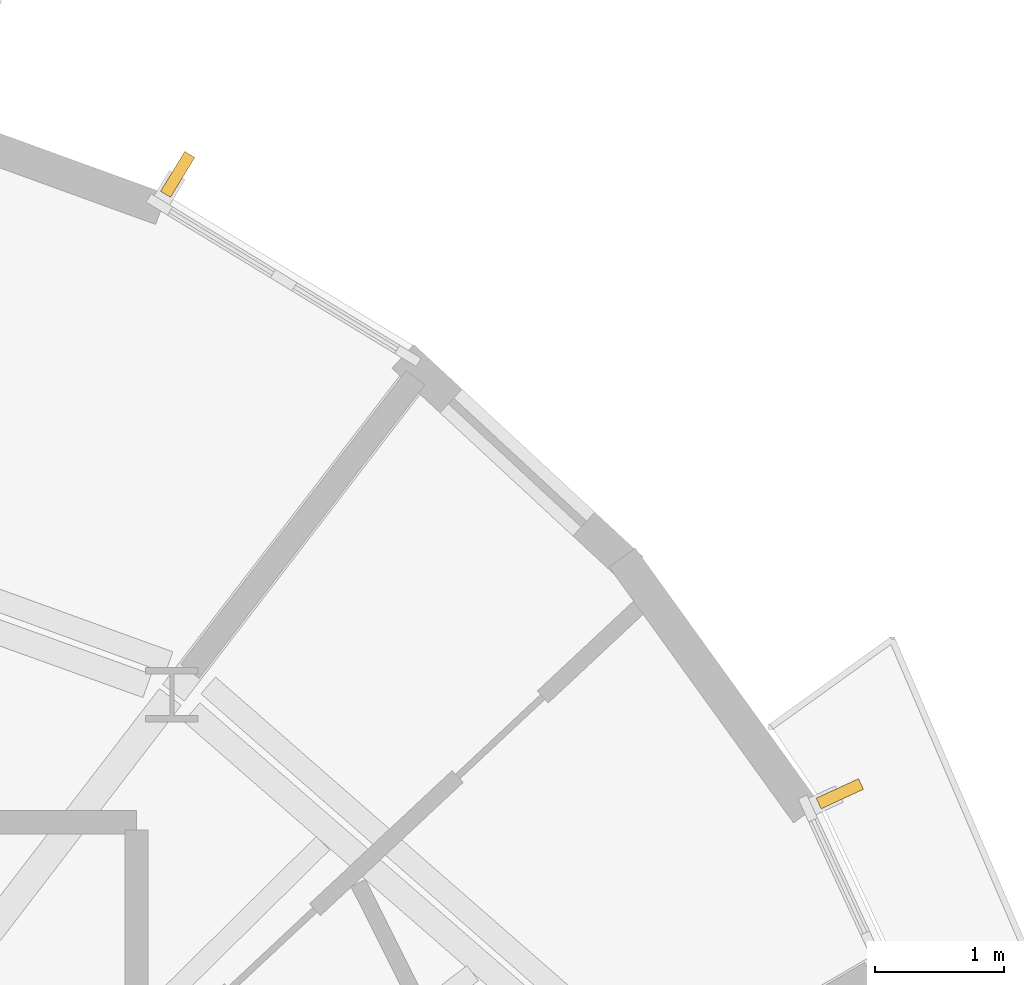
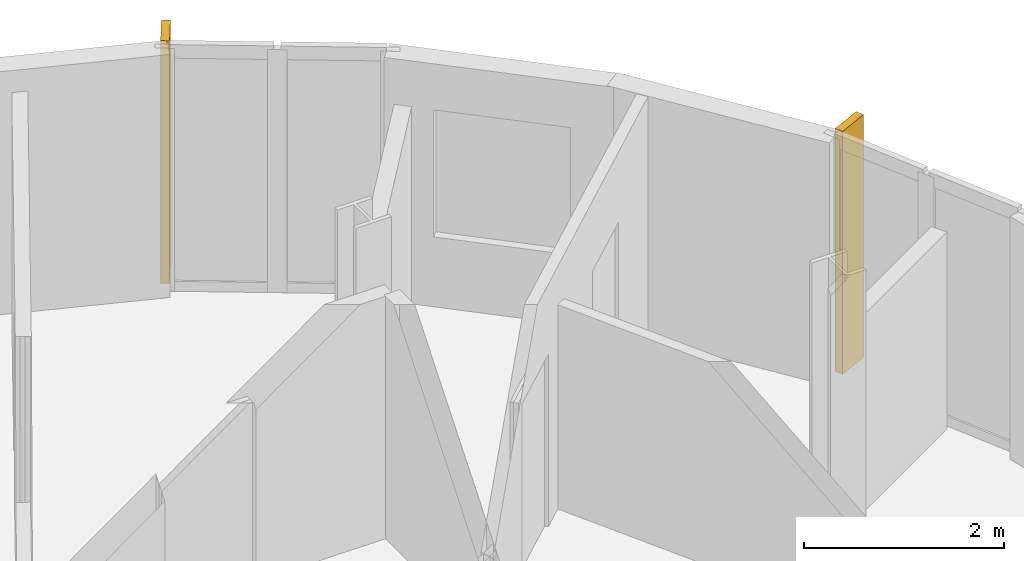
# One storey, part 11 of 11: 2 shading devices.
"""IFC4 building model written with IfcOpenShell, lengths in metres."""

import ifcopenshell
import ifcopenshell.guid

model = None  # the IFC model being written
_history = None  # IfcOwnerHistory: only IFC2X3 demands one
_inside = {}  # id of a spatial element -> (the spatial element, [elements in it])
_under = {}  # id of a project, library or spatial element -> (it, [spatial elements below it])
_declared = {}  # id of a project -> (the project, [libraries it declares])
_typed = {}  # id of a type object -> (the type object, [elements of that type])
_made_of = {}  # id of a material, layer set ... -> (it, [elements and type objects made of it])


def new_model(schema):
    """Start an empty IFC model of exactly this schema.

    Asked for "IFC4X3", IfcOpenShell would pick the latest addendum, in which some entities
    have other attributes; the version numbers below select the first issue.
    IFC2X3 requires an IfcOwnerHistory on every rooted entity: one is made here for all.
    """
    global model, _history
    if schema == "IFC4X3":
        model = ifcopenshell.file(schema_version=(4, 3, 0, 0))
    else:
        model = ifcopenshell.file(schema=schema)
    _inside.clear()
    _under.clear()
    _declared.clear()
    _typed.clear()
    _made_of.clear()
    _history = None
    if model.schema == "IFC2X3":
        org = make("IfcOrganization", Name="unknown")
        user = make(
            "IfcPersonAndOrganization",
            ThePerson=make("IfcPerson", FamilyName="unknown"),
            TheOrganization=org,
        )
        app = make(
            "IfcApplication",
            ApplicationDeveloper=org,
            Version="unknown",
            ApplicationFullName="unknown",
            ApplicationIdentifier="unknown",
        )
        _history = make(
            "IfcOwnerHistory",
            OwningUser=user,
            OwningApplication=app,
            ChangeAction="ADDED",
            CreationDate=0,
        )
    return model


def make(cls, **values):
    """One entity of the class cls with the attributes given. An attribute that is None is left unset."""
    return model.create_entity(
        cls, **{name: value for name, value in values.items() if value is not None}
    )


def rooted(cls, **values):
    """An entity with a GlobalId (a new one), such as an element, a storey or a relation."""
    return make(cls, GlobalId=ifcopenshell.guid.new(), OwnerHistory=_history, **values)


def si_unit(unit_type, name, prefix=None):
    """IfcSIUnit, for example si_unit("LENGTHUNIT", "METRE", prefix="MILLI")."""
    return make("IfcSIUnit", UnitType=unit_type, Prefix=prefix, Name=name)


def assignment(units):
    """IfcUnitAssignment: the units of a project."""
    return None if units is None else make("IfcUnitAssignment", Units=units)


def point(xyz):
    """IfcCartesianPoint."""
    return None if xyz is None else make("IfcCartesianPoint", Coordinates=xyz)


def direction(xyz):
    """IfcDirection."""
    return None if xyz is None else make("IfcDirection", DirectionRatios=xyz)


def frame(location, z_axis=None, x_axis=None):
    """IfcAxis2Placement3D, a coordinate frame: its origin and axes. An axis left out is left unset."""
    return make(
        "IfcAxis2Placement3D",
        Location=point(location),
        Axis=direction(z_axis),
        RefDirection=direction(x_axis),
    )


def frame_2d(location, x_axis=None):
    """IfcAxis2Placement2D, a coordinate frame in the plane: its origin and x axis."""
    return make(
        "IfcAxis2Placement2D", Location=point(location), RefDirection=direction(x_axis)
    )


def origin():
    """The frame at (0, 0, 0) with its axes left unset."""
    return frame((0.0, 0.0, 0.0))


def origin_2d():
    """The frame at (0, 0) in the plane with its x axis left unset."""
    return frame_2d((0.0, 0.0))


def place(relative_to, where):
    """IfcLocalPlacement: puts the frame where relative to a parent placement (None: the world)."""
    return make(
        "IfcLocalPlacement", PlacementRelTo=relative_to, RelativePlacement=where
    )


def context(
    kind, dimensions, precision=None, world=None, true_north=None, identifier=None
):
    """IfcGeometricRepresentationContext, for example the 3D "Model" context."""
    return make(
        "IfcGeometricRepresentationContext",
        ContextIdentifier=identifier,
        ContextType=kind,
        CoordinateSpaceDimension=dimensions,
        Precision=precision,
        WorldCoordinateSystem=world,
        TrueNorth=true_north,
    )


def subcontext(parent, identifier, kind, view, scale=None):
    """IfcGeometricRepresentationSubContext, for example "Body" below "Model"."""
    return make(
        "IfcGeometricRepresentationSubContext",
        ContextIdentifier=identifier,
        ContextType=kind,
        ParentContext=parent,
        TargetScale=scale,
        TargetView=view,
    )


def project(units=None, contexts=None):
    """IfcProject with its units and contexts."""
    return rooted(
        "IfcProject",
        Name="project",
        RepresentationContexts=contexts,
        UnitsInContext=assignment(units),
    )


def spatial(cls, under=None, at=None, **own):
    """A site, building, storey or space (cls), placed at a placement, below another one or the project."""
    s = rooted(cls, ObjectPlacement=at, **own)
    if under is not None:
        _under.setdefault(under.id(), (under, []))[1].append(s)
    return s


def profile(cls, at=None, kind="AREA", **sizes):
    """A parametric profile (cls). Its sizes go by their IFC names, for example OverallWidth=200.0."""
    return make(cls, ProfileType=kind, Position=at, **sizes)


def rectangle(**sizes):
    """IfcRectangleProfileDef."""
    return profile("IfcRectangleProfileDef", **sizes)


def extrude(swept, where, along, depth):
    """IfcExtrudedAreaSolid: the profile swept, set in the frame where, extruded along a direction by depth."""
    return make(
        "IfcExtrudedAreaSolid",
        SweptArea=swept,
        Position=where,
        ExtrudedDirection=direction(along),
        Depth=depth,
    )


def shape(context_of_items, identifier, shape_type, items):
    """IfcShapeRepresentation: the items that make up one representation, for example the "Body"."""
    return make(
        "IfcShapeRepresentation",
        ContextOfItems=context_of_items,
        RepresentationIdentifier=identifier,
        RepresentationType=shape_type,
        Items=items,
    )


def material(Name=None, Category=None):
    """IfcMaterial."""
    return make("IfcMaterial", Name=Name, Category=Category)


def layer(
    of_material, thickness, ventilated=None, Name=None, Category=None, Priority=None
):
    """IfcMaterialLayer: one layer of a wall or slab, of a material (None: an air gap)."""
    return make(
        "IfcMaterialLayer",
        Material=of_material,
        LayerThickness=thickness,
        IsVentilated=ventilated,
        Name=Name,
        Category=Category,
        Priority=Priority,
    )


def layer_set(layers, Name=None):
    """IfcMaterialLayerSet."""
    return make("IfcMaterialLayerSet", MaterialLayers=layers, LayerSetName=Name)


def made_of(thing, what):
    """Note that an element or type object is made of a material, layer set ...; save() writes the relation."""
    if what is not None:
        _made_of.setdefault(what.id(), (what, []))[1].append(thing)
    return thing


def type_object(cls, material=None, **own):
    """A type object (cls), such as IfcWallType, which elements share."""
    return made_of(rooted(cls, **own), material)


def element(
    cls,
    number,
    at=None,
    inside=None,
    cuts=None,
    type_object=None,
    material=None,
    context=None,
    identifier="Body",
    shape_type=None,
    held_by="IfcProductDefinitionShape",
    body=None,
    shapes=None,
    **own,
):
    """One element of the class cls, such as IfcWall. Its Tag is "e" and its number.

    at: its placement. inside: the storey or other place that contains it. cuts: it is an
    opening in that element (IfcRelVoidsElement). A single representation is given by context,
    identifier, shape_type and body (its items); several are given by shapes. held_by: the class
    of the entity that holds the representations. save() writes the other relations.
    """
    e = rooted(cls, Tag="e%d" % number, ObjectPlacement=at, **own)
    if body is not None:
        shapes = [shape(context, identifier, shape_type, body)]
    if shapes is not None:
        e.Representation = make(held_by, Representations=shapes)
    if inside is not None:
        _inside.setdefault(inside.id(), (inside, []))[1].append(e)
    if cuts is not None:
        rooted(
            "IfcRelVoidsElement", RelatingBuildingElement=cuts, RelatedOpeningElement=e
        )
    if type_object is not None:
        _typed.setdefault(type_object.id(), (type_object, []))[1].append(e)
    return made_of(e, material)


def aggregate(whole, parts):
    """IfcRelAggregates: a whole, such as a stair, and the parts it consists of."""
    return rooted("IfcRelAggregates", RelatingObject=whole, RelatedObjects=parts)


def save(model, path):
    """Write the relations noted so far, then the file.

    IfcRelAggregates (storeys below a building ...), IfcRelContainedInSpatialStructure (elements
    in a storey), IfcRelDefinesByType, IfcRelAssociatesMaterial and IfcRelDeclares: one each for
    every whole, place, type object, material and project.
    """
    for whole, parts in _under.values():
        aggregate(whole, parts)
    for where, things in _inside.values():
        rooted(
            "IfcRelContainedInSpatialStructure",
            RelatedElements=things,
            RelatingStructure=where,
        )
    for kind, things in _typed.values():
        rooted("IfcRelDefinesByType", RelatedObjects=things, RelatingType=kind)
    for what, things in _made_of.values():
        rooted("IfcRelAssociatesMaterial", RelatedObjects=things, RelatingMaterial=what)
    for by, libraries in _declared.values():
        rooted("IfcRelDeclares", RelatingContext=by, RelatedDefinitions=libraries)
    model.write(path)


model = new_model("IFC4")

# Units and contexts
model_context = context("Model", 3, precision=1e-05, world=origin(), true_north=direction((0.0, 1.0)))
body_context = subcontext(model_context, "Body", "Model", "MODEL_VIEW")
ifc_project = project(units=[si_unit("LENGTHUNIT", "METRE"), si_unit("AREAUNIT", "SQUARE_METRE"), si_unit("VOLUMEUNIT", "CUBIC_METRE"), si_unit("PLANEANGLEUNIT", "RADIAN"), si_unit("MASSUNIT", "GRAM", prefix="KILO")], contexts=[model_context])

# Site, building, storey
site_placement = place(None, origin())
site = spatial("IfcSite", under=ifc_project, at=site_placement, CompositionType="ELEMENT")
building_placement = place(site_placement, origin())
building = spatial("IfcBuilding", under=site, at=building_placement, Name="Veldorim Arch Residences", CompositionType="ELEMENT")
storey_placement = place(building_placement, frame((0.0, 0.0, 211.0400390625)))
storey = spatial("IfcBuildingStorey", under=building, at=storey_placement, Name="L63", CompositionType="ELEMENT", Elevation=211.0400390625)

# Shading devices
ifc_material = material(Name="Terracotta Ceramic", Category="masonry")
ifc_layer = layer(ifc_material, 0.090087890625, Name="Vertical Extruded Terracotta Baguette Sun-Shading Fin")
ifc_layer_set = layer_set([ifc_layer], Name="Terracotta Ceramic")
shading_device_type = type_object("IfcShadingDeviceType", Name="Vertical Extruded Terracotta Baguette Sun-Shading Fin", PredefinedType="USERDEFINED", material=ifc_layer_set)
for number, where, z_axis, x_axis, name in (
    (1, (39.378173828125, 37.5673828125, 0.0), (0.0, 0.0, 1.0), (0.854186693447, -0.519966434242, 0.0), "L63 vertical terracotta sun-shading fin 01"),
    (2, (44.49560546875, 32.78076171875, 0.0), (0.0, 0.0, 1.0), (0.418025632026, -0.908435232127, 0.0), "L63 vertical terracotta sun-shading fin 34"),
):
    element("IfcShadingDevice", number, at=place(storey_placement, frame(where, z_axis=z_axis, x_axis=x_axis)), inside=storey, type_object=shading_device_type, Name=name, ObjectType="FIN", PredefinedType="USERDEFINED", context=body_context, shape_type="SweptSolid", body=[
        extrude(rectangle(XDim=0.090087890625, YDim=0.360107421875, at=origin_2d()), origin(), (0.0, 0.0, 1.0), 2.9599609375),
    ])

save(model, "model.ifc")
